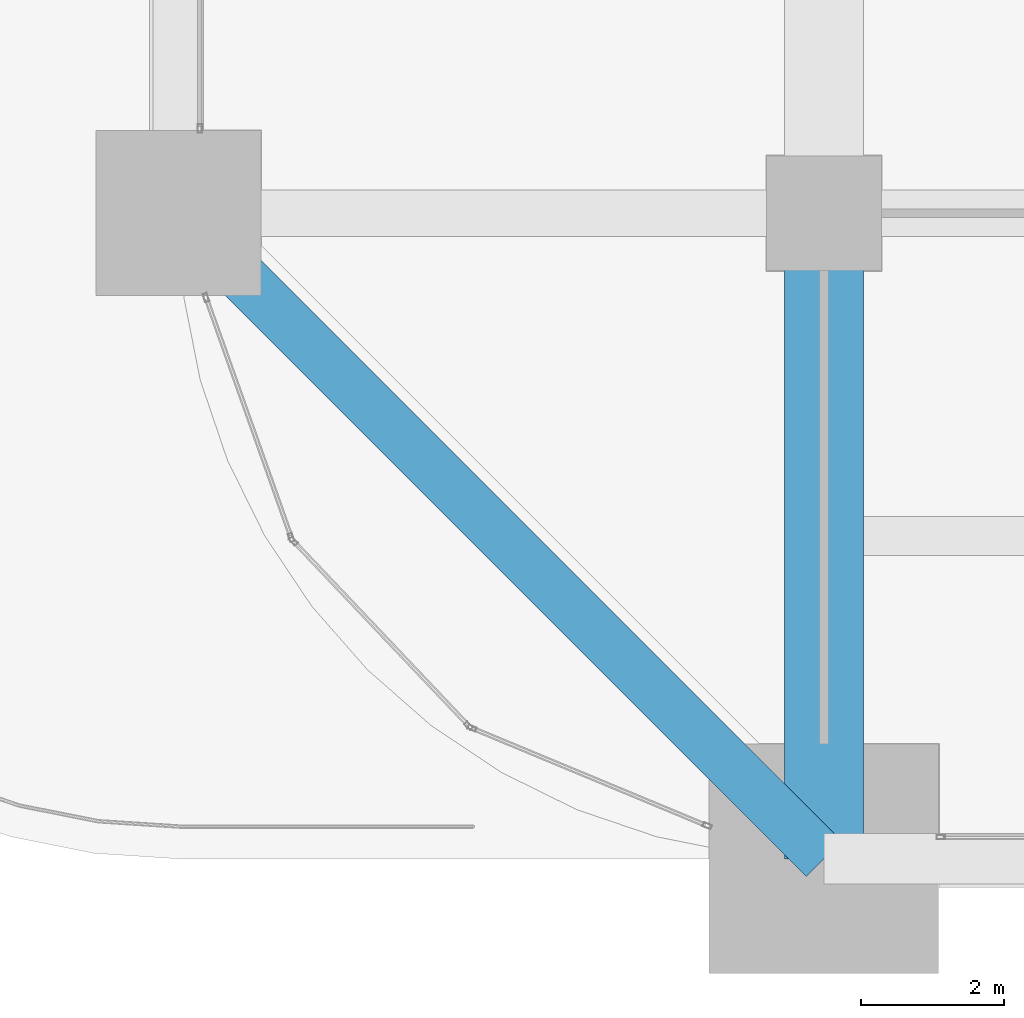
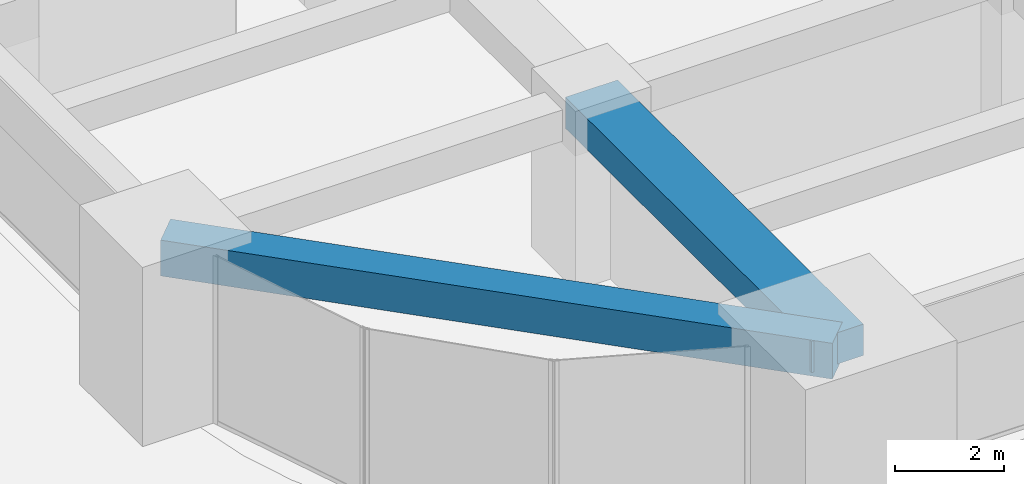
# One storey, part 4 of 40: 2 beams.
"""IFC4 building model written with IfcOpenShell, lengths in metres."""

from ifc_helpers import new_model, si_unit, direction, frame, origin, origin_2d, place, context, subcontext, project, spatial, rectangle, extrude, material, material_profile, profile_set, type_object, element, save


model = new_model("IFC4")

# Units and contexts
model_context = context("Model", 3, precision=1e-05, world=origin(), true_north=direction((0.0, 1.0)))
body_context = subcontext(model_context, "Body", "Model", "MODEL_VIEW")
ifc_project = project(units=[si_unit("LENGTHUNIT", "METRE"), si_unit("AREAUNIT", "SQUARE_METRE"), si_unit("VOLUMEUNIT", "CUBIC_METRE"), si_unit("PLANEANGLEUNIT", "RADIAN"), si_unit("MASSUNIT", "GRAM", prefix="KILO")], contexts=[model_context])

# Site, building, storey
site_placement = place(None, origin())
site = spatial("IfcSite", under=ifc_project, at=site_placement, CompositionType="ELEMENT")
building_placement = place(site_placement, origin())
building = spatial("IfcBuilding", under=site, at=building_placement, Name="Zorevar Civic Tower", CompositionType="ELEMENT")
storey_placement = place(building_placement, frame((0.0, 0.0, 239.39990234375)))
storey = spatial("IfcBuildingStorey", under=building, at=storey_placement, Name="L58", CompositionType="ELEMENT", Elevation=239.39990234375)

# Beams
ifc_material_1 = material(Name="Concrete C50/60", Category="concrete")
ifc_material_profile_1 = material_profile(ifc_material_1, rectangle(XDim=1.10009765625, YDim=0.699951171875, at=origin_2d()), Name="RC 1100x700")
ifc_profile_set_1 = profile_set([ifc_material_profile_1], Name="Concrete C50/60")
beam_type_1 = type_object("IfcBeamType", Name="Beam RC 1100x700", PredefinedType="BEAM", material=ifc_profile_set_1)
beam_1_placement = place(storey_placement, frame((18.0, 0.0, 3.400146484375), z_axis=(0.0, 1.0, 0.0), x_axis=(-1.0, 0.0, 0.0)))
element("IfcBeam", 1, at=beam_1_placement, inside=storey, type_object=beam_type_1, Name="Girder L59", PredefinedType="BEAM", context=body_context, shape_type="SweptSolid", body=[
    extrude(rectangle(XDim=1.10009765625, YDim=0.699951171875, at=origin_2d()), origin(), (0.0, 0.0, 1.0), 9.0),
])
ifc_material_2 = material(Name="Concrete C50/60", Category="concrete")
ifc_material_profile_2 = material_profile(ifc_material_2, rectangle(XDim=0.699951171875, YDim=0.800048828125, at=origin_2d()), Name="RC 700x800")
ifc_profile_set_2 = profile_set([ifc_material_profile_2], Name="Concrete C50/60")
beam_type_2 = type_object("IfcBeamType", Name="Edge beam RC 700x800", PredefinedType="SPANDREL", material=ifc_profile_set_2)
beam_2_placement = place(storey_placement, frame((9.0, 9.0, 3.35009765625), z_axis=(0.707106781187, -0.707106781187, 0.0), x_axis=(0.707106781187, 0.707106781187, 0.0)))
element("IfcBeam", 2, at=beam_2_placement, inside=storey, type_object=beam_type_2, Name="Corner edge beam L59", PredefinedType="SPANDREL", context=body_context, shape_type="SweptSolid", body=[
    extrude(rectangle(XDim=0.699951171875, YDim=0.800048828125, at=origin_2d()), origin(), (0.0, 0.0, 1.0), 12.72802734375),
])

save(model, "model.ifc")
